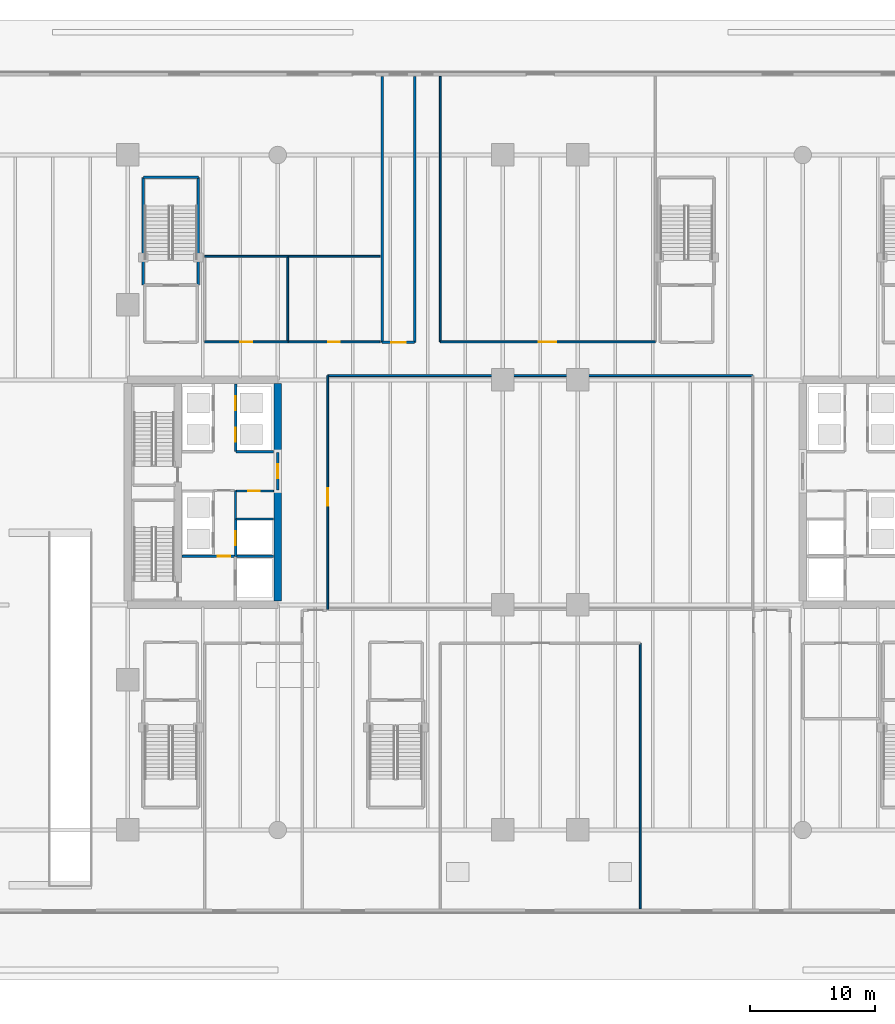
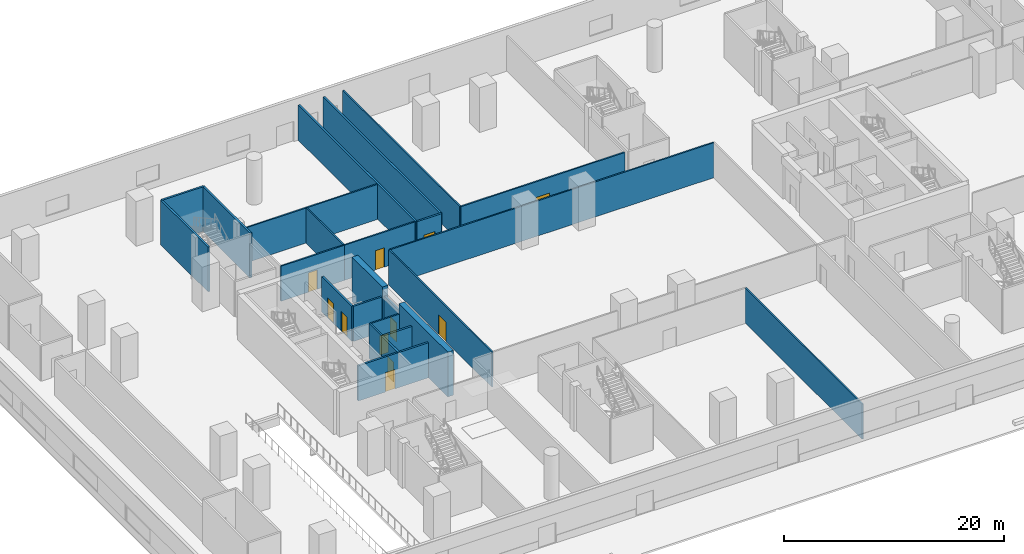
# One storey, part 7 of 25: 26 walls, 11 doors, 11 openings.
"""IFC4 building model written with IfcOpenShell, lengths in metres."""

import ifcopenshell
import ifcopenshell.guid

model = None  # the IFC model being written
_history = None  # IfcOwnerHistory: only IFC2X3 demands one
_inside = {}  # id of a spatial element -> (the spatial element, [elements in it])
_under = {}  # id of a project, library or spatial element -> (it, [spatial elements below it])
_declared = {}  # id of a project -> (the project, [libraries it declares])
_typed = {}  # id of a type object -> (the type object, [elements of that type])
_made_of = {}  # id of a material, layer set ... -> (it, [elements and type objects made of it])


def new_model(schema):
    """Start an empty IFC model of exactly this schema.

    Asked for "IFC4X3", IfcOpenShell would pick the latest addendum, in which some entities
    have other attributes; the version numbers below select the first issue.
    IFC2X3 requires an IfcOwnerHistory on every rooted entity: one is made here for all.
    """
    global model, _history
    if schema == "IFC4X3":
        model = ifcopenshell.file(schema_version=(4, 3, 0, 0))
    else:
        model = ifcopenshell.file(schema=schema)
    _inside.clear()
    _under.clear()
    _declared.clear()
    _typed.clear()
    _made_of.clear()
    _history = None
    if model.schema == "IFC2X3":
        org = make("IfcOrganization", Name="unknown")
        user = make(
            "IfcPersonAndOrganization",
            ThePerson=make("IfcPerson", FamilyName="unknown"),
            TheOrganization=org,
        )
        app = make(
            "IfcApplication",
            ApplicationDeveloper=org,
            Version="unknown",
            ApplicationFullName="unknown",
            ApplicationIdentifier="unknown",
        )
        _history = make(
            "IfcOwnerHistory",
            OwningUser=user,
            OwningApplication=app,
            ChangeAction="ADDED",
            CreationDate=0,
        )
    return model


def make(cls, **values):
    """One entity of the class cls with the attributes given. An attribute that is None is left unset."""
    return model.create_entity(
        cls, **{name: value for name, value in values.items() if value is not None}
    )


def rooted(cls, **values):
    """An entity with a GlobalId (a new one), such as an element, a storey or a relation."""
    return make(cls, GlobalId=ifcopenshell.guid.new(), OwnerHistory=_history, **values)


def si_unit(unit_type, name, prefix=None):
    """IfcSIUnit, for example si_unit("LENGTHUNIT", "METRE", prefix="MILLI")."""
    return make("IfcSIUnit", UnitType=unit_type, Prefix=prefix, Name=name)


def assignment(units):
    """IfcUnitAssignment: the units of a project."""
    return None if units is None else make("IfcUnitAssignment", Units=units)


def point(xyz):
    """IfcCartesianPoint."""
    return None if xyz is None else make("IfcCartesianPoint", Coordinates=xyz)


def direction(xyz):
    """IfcDirection."""
    return None if xyz is None else make("IfcDirection", DirectionRatios=xyz)


def frame(location, z_axis=None, x_axis=None):
    """IfcAxis2Placement3D, a coordinate frame: its origin and axes. An axis left out is left unset."""
    return make(
        "IfcAxis2Placement3D",
        Location=point(location),
        Axis=direction(z_axis),
        RefDirection=direction(x_axis),
    )


def frame_2d(location, x_axis=None):
    """IfcAxis2Placement2D, a coordinate frame in the plane: its origin and x axis."""
    return make(
        "IfcAxis2Placement2D", Location=point(location), RefDirection=direction(x_axis)
    )


def origin():
    """The frame at (0, 0, 0) with its axes left unset."""
    return frame((0.0, 0.0, 0.0))


def place(relative_to, where):
    """IfcLocalPlacement: puts the frame where relative to a parent placement (None: the world)."""
    return make(
        "IfcLocalPlacement", PlacementRelTo=relative_to, RelativePlacement=where
    )


def context(
    kind, dimensions, precision=None, world=None, true_north=None, identifier=None
):
    """IfcGeometricRepresentationContext, for example the 3D "Model" context."""
    return make(
        "IfcGeometricRepresentationContext",
        ContextIdentifier=identifier,
        ContextType=kind,
        CoordinateSpaceDimension=dimensions,
        Precision=precision,
        WorldCoordinateSystem=world,
        TrueNorth=true_north,
    )


def subcontext(parent, identifier, kind, view, scale=None):
    """IfcGeometricRepresentationSubContext, for example "Body" below "Model"."""
    return make(
        "IfcGeometricRepresentationSubContext",
        ContextIdentifier=identifier,
        ContextType=kind,
        ParentContext=parent,
        TargetScale=scale,
        TargetView=view,
    )


def project(units=None, contexts=None):
    """IfcProject with its units and contexts."""
    return rooted(
        "IfcProject",
        Name="project",
        RepresentationContexts=contexts,
        UnitsInContext=assignment(units),
    )


def spatial(cls, under=None, at=None, **own):
    """A site, building, storey or space (cls), placed at a placement, below another one or the project."""
    s = rooted(cls, ObjectPlacement=at, **own)
    if under is not None:
        _under.setdefault(under.id(), (under, []))[1].append(s)
    return s


def profile(cls, at=None, kind="AREA", **sizes):
    """A parametric profile (cls). Its sizes go by their IFC names, for example OverallWidth=200.0."""
    return make(cls, ProfileType=kind, Position=at, **sizes)


def rectangle(**sizes):
    """IfcRectangleProfileDef."""
    return profile("IfcRectangleProfileDef", **sizes)


def extrude(swept, where, along, depth):
    """IfcExtrudedAreaSolid: the profile swept, set in the frame where, extruded along a direction by depth."""
    return make(
        "IfcExtrudedAreaSolid",
        SweptArea=swept,
        Position=where,
        ExtrudedDirection=direction(along),
        Depth=depth,
    )


def shape(context_of_items, identifier, shape_type, items):
    """IfcShapeRepresentation: the items that make up one representation, for example the "Body"."""
    return make(
        "IfcShapeRepresentation",
        ContextOfItems=context_of_items,
        RepresentationIdentifier=identifier,
        RepresentationType=shape_type,
        Items=items,
    )


def material(Name=None, Category=None):
    """IfcMaterial."""
    return make("IfcMaterial", Name=Name, Category=Category)


def layer(
    of_material, thickness, ventilated=None, Name=None, Category=None, Priority=None
):
    """IfcMaterialLayer: one layer of a wall or slab, of a material (None: an air gap)."""
    return make(
        "IfcMaterialLayer",
        Material=of_material,
        LayerThickness=thickness,
        IsVentilated=ventilated,
        Name=Name,
        Category=Category,
        Priority=Priority,
    )


def layer_set(layers, Name=None):
    """IfcMaterialLayerSet."""
    return make("IfcMaterialLayerSet", MaterialLayers=layers, LayerSetName=Name)


def made_of(thing, what):
    """Note that an element or type object is made of a material, layer set ...; save() writes the relation."""
    if what is not None:
        _made_of.setdefault(what.id(), (what, []))[1].append(thing)
    return thing


def type_object(cls, material=None, **own):
    """A type object (cls), such as IfcWallType, which elements share."""
    return made_of(rooted(cls, **own), material)


def element(
    cls,
    number,
    at=None,
    inside=None,
    cuts=None,
    type_object=None,
    material=None,
    context=None,
    identifier="Body",
    shape_type=None,
    held_by="IfcProductDefinitionShape",
    body=None,
    shapes=None,
    **own,
):
    """One element of the class cls, such as IfcWall. Its Tag is "e" and its number.

    at: its placement. inside: the storey or other place that contains it. cuts: it is an
    opening in that element (IfcRelVoidsElement). A single representation is given by context,
    identifier, shape_type and body (its items); several are given by shapes. held_by: the class
    of the entity that holds the representations. save() writes the other relations.
    """
    e = rooted(cls, Tag="e%d" % number, ObjectPlacement=at, **own)
    if body is not None:
        shapes = [shape(context, identifier, shape_type, body)]
    if shapes is not None:
        e.Representation = make(held_by, Representations=shapes)
    if inside is not None:
        _inside.setdefault(inside.id(), (inside, []))[1].append(e)
    if cuts is not None:
        rooted(
            "IfcRelVoidsElement", RelatingBuildingElement=cuts, RelatedOpeningElement=e
        )
    if type_object is not None:
        _typed.setdefault(type_object.id(), (type_object, []))[1].append(e)
    return made_of(e, material)


def fill(opening, filler):
    """IfcRelFillsElement: the door or window that sits in an opening."""
    return rooted(
        "IfcRelFillsElement",
        RelatingOpeningElement=opening,
        RelatedBuildingElement=filler,
    )


def aggregate(whole, parts):
    """IfcRelAggregates: a whole, such as a stair, and the parts it consists of."""
    return rooted("IfcRelAggregates", RelatingObject=whole, RelatedObjects=parts)


def save(model, path):
    """Write the relations noted so far, then the file.

    IfcRelAggregates (storeys below a building ...), IfcRelContainedInSpatialStructure (elements
    in a storey), IfcRelDefinesByType, IfcRelAssociatesMaterial and IfcRelDeclares: one each for
    every whole, place, type object, material and project.
    """
    for whole, parts in _under.values():
        aggregate(whole, parts)
    for where, things in _inside.values():
        rooted(
            "IfcRelContainedInSpatialStructure",
            RelatedElements=things,
            RelatingStructure=where,
        )
    for kind, things in _typed.values():
        rooted("IfcRelDefinesByType", RelatedObjects=things, RelatingType=kind)
    for what, things in _made_of.values():
        rooted("IfcRelAssociatesMaterial", RelatedObjects=things, RelatingMaterial=what)
    for by, libraries in _declared.values():
        rooted("IfcRelDeclares", RelatingContext=by, RelatedDefinitions=libraries)
    model.write(path)


model = new_model("IFC4")

# Units and contexts
model_context = context("Model", 3, precision=1e-05, world=origin(), true_north=direction((0.0, 1.0)))
body_context = subcontext(model_context, "Body", "Model", "MODEL_VIEW")
ifc_project = project(units=[si_unit("LENGTHUNIT", "METRE"), si_unit("AREAUNIT", "SQUARE_METRE"), si_unit("VOLUMEUNIT", "CUBIC_METRE"), si_unit("PLANEANGLEUNIT", "RADIAN"), si_unit("MASSUNIT", "GRAM", prefix="KILO")], contexts=[model_context])

# Site, building, storey
site_placement = place(None, origin())
site = spatial("IfcSite", under=ifc_project, at=site_placement, CompositionType="ELEMENT")
building_placement = place(site_placement, origin())
building = spatial("IfcBuilding", under=site, at=building_placement, Name="Tanjung Sevakor Pilgrim Tower", CompositionType="ELEMENT")
storey_placement = place(building_placement, origin())
storey = spatial("IfcBuildingStorey", under=building, at=storey_placement, Name="L01", CompositionType="ELEMENT", Elevation=0.0)

# Walls
ifc_material_1 = material(Name="Concrete C60/75", Category="concrete")
ifc_layer_1 = layer(ifc_material_1, 0.60009765625)
ifc_layer_set_1 = layer_set([ifc_layer_1], Name="WALL-CW-600")
wall_type_1 = type_object("IfcWallType", Name="WALL-CW-600", PredefinedType="SHEAR", material=ifc_layer_set_1)
wall_1_placement = place(storey_placement, frame((36.0, 24.89990234375, 0.0), z_axis=(0.0, 0.0, 1.0), x_axis=(0.0, 1.0, 0.0)))
element("IfcWall", 1, at=wall_1_placement, inside=storey, type_object=wall_type_1, Name="L01 W Core Inner Shear Wall South", PredefinedType="SHEAR", context=body_context, shape_type="SweptSolid", body=[
    extrude(rectangle(XDim=8.900146484375, YDim=0.60009765625, at=frame_2d((4.4501953125, 0.0))), origin(), (0.0, 0.0, 1.0), 4.949951171875),
])
wall_2_placement = place(storey_placement, frame((36.0, 36.800048828125, 0.0), z_axis=(0.0, 0.0, 1.0), x_axis=(0.0, 1.0, 0.0)))
element("IfcWall", 2, at=wall_2_placement, inside=storey, type_object=wall_type_1, Name="L01 W Core Inner Shear Wall North", PredefinedType="SHEAR", context=body_context, shape_type="SweptSolid", body=[
    extrude(rectangle(XDim=5.5, YDim=0.60009765625, at=frame_2d((2.75, 0.0))), origin(), (0.0, 0.0, 1.0), 4.949951171875),
])
ifc_material_2 = material(Name="Concrete C40/50", Category="concrete")
ifc_layer_2 = layer(ifc_material_2, 0.14990234375)
ifc_layer_set_2 = layer_set([ifc_layer_2], Name="WT-COMP-150")
wall_type_2 = type_object("IfcWallType", Name="WT-COMP-150", PredefinedType="SOLIDWALL", material=ifc_layer_set_2)
wall_3_placement = place(storey_placement, frame((32.6201171875, 31.47998046875, 0.0), z_axis=(0.0, 0.0, 1.0), x_axis=(0.0, 1.0, 0.0)))
element("IfcWall", 3, at=wall_3_placement, inside=storey, type_object=wall_type_2, Name="L01 Partition IW-L01-009", PredefinedType="SOLIDWALL", context=body_context, shape_type="SweptSolid", body=[
    extrude(rectangle(XDim=2.239990234375, YDim=0.14990234375, at=frame_2d((1.1201171875, 0.0))), origin(), (0.0, 0.0, 1.0), 3.889892578125),
])

# Wall, opening, door
wall_4_placement = place(storey_placement, frame((32.679931640625, 33.719970703125, 0.0), z_axis=(0.0, 0.0, 1.0), x_axis=(1.0, 0.0, 0.0)))
wall_4 = element("IfcWall", 4, at=wall_4_placement, inside=storey, type_object=wall_type_2, Name="L01 Partition IW-L01-010", PredefinedType="SOLIDWALL", context=body_context, shape_type="SweptSolid", body=[
    extrude(rectangle(XDim=3.0, YDim=0.14990234375, at=frame_2d((1.5, 0.0))), origin(), (0.0, 0.0, 1.0), 3.889892578125),
])
opening_1_placement = place(wall_4_placement, frame((0.949951171875, 0.0, 0.0)))
opening_1 = element("IfcOpeningElement", 5, at=opening_1_placement, cuts=wall_4, Name="Opening ID-FD2", PredefinedType="OPENING", context=body_context, shape_type="SweptSolid", body=[
    extrude(rectangle(XDim=0.949951171875, YDim=2.14990234375, at=frame_2d((0.47509765625, 1.074951171875))), frame((0.0, 0.0849609375, 0.0), z_axis=(0.0, -1.0, 0.0), x_axis=(1.0, 0.0, 0.0)), (0.0, 0.0, 1.0), 0.169921875),
])
ifc_material_3 = material(Name="Fire-Rated Timber", Category="wood")
door_type_1 = type_object("IfcDoorType", Name="DT-FIRE-950", OperationType="NOTDEFINED", PredefinedType="DOOR", material=ifc_material_3)
door_1_placement = place(opening_1_placement, origin())
door_1 = element("IfcDoor", 6, at=door_1_placement, inside=storey, type_object=door_type_1, Name="L01 Accessible WC Door", OperationType="SINGLE_SWING_LEFT", OverallHeight=2.14990234375, OverallWidth=0.949951171875, PredefinedType="DOOR", context=body_context, shape_type="SweptSolid", body=[
    extrude(rectangle(XDim=0.949951171875, YDim=2.14990234375, at=frame_2d((0.47509765625, 1.074951171875))), frame((0.0, 0.02490234375, 0.0), z_axis=(0.0, -1.0, 0.0), x_axis=(1.0, 0.0, 0.0)), (0.0, 0.0, 1.0), 0.050048828125),
])
fill(opening_1, door_1)

# Walls
wall_5_placement = place(storey_placement, frame((65.0, 0.300048828125, 0.0), z_axis=(0.0, 0.0, 1.0), x_axis=(0.0, 1.0, 0.0)))
element("IfcWall", 7, at=wall_5_placement, inside=storey, type_object=wall_type_2, Name="L01 Partition IW-L01-063", PredefinedType="SOLIDWALL", context=body_context, shape_type="SweptSolid", body=[
    extrude(rectangle(XDim=21.25, YDim=0.14990234375, at=frame_2d((10.625, 0.0))), origin(), (0.0, 0.0, 1.0), 3.889892578125),
])
wall_6_placement = place(storey_placement, frame((40.0, 42.949951171875, 0.0), z_axis=(0.0, 0.0, 1.0), x_axis=(1.0, 0.0, 0.0)))
element("IfcWall", 8, at=wall_6_placement, inside=storey, type_object=wall_type_2, Name="L01 Partition IW-L01-071", PredefinedType="SOLIDWALL", context=body_context, shape_type="SweptSolid", body=[
    extrude(rectangle(XDim=34.0, YDim=0.14990234375, at=frame_2d((17.0, 0.0))), origin(), (0.0, 0.0, 1.0), 3.889892578125),
])

# Wall, opening, door
wall_7_placement = place(storey_placement, frame((40.0, 24.25, 0.0), z_axis=(0.0, 0.0, 1.0), x_axis=(0.0, 1.0, 0.0)))
wall_7 = element("IfcWall", 9, at=wall_7_placement, inside=storey, type_object=wall_type_2, Name="L01 Partition IW-L01-072", PredefinedType="SOLIDWALL", context=body_context, shape_type="SweptSolid", body=[
    extrude(rectangle(XDim=18.699951171875, YDim=0.14990234375, at=frame_2d((9.35009765625, 0.0))), origin(), (0.0, 0.0, 1.0), 3.889892578125),
])
opening_2_placement = place(wall_7_placement, frame((8.300048828125, 0.0, 0.0)))
opening_2 = element("IfcOpeningElement", 10, at=opening_2_placement, cuts=wall_7, Name="Opening ID-HD1", PredefinedType="OPENING", context=body_context, shape_type="SweptSolid", body=[
    extrude(rectangle(XDim=1.39990234375, YDim=2.14990234375, at=frame_2d((0.699951171875, 1.074951171875))), frame((0.0, 0.0849609375, 0.0), z_axis=(0.0, -1.0, 0.0), x_axis=(1.0, 0.0, 0.0)), (0.0, 0.0, 1.0), 0.169921875),
])
ifc_material_4 = material(Name="Hardwood Timber", Category="wood")
door_type_2 = type_object("IfcDoorType", Name="DT-INT-1400", OperationType="DOUBLE_DOOR_SINGLE_SWING", PredefinedType="DOOR", material=ifc_material_4)
door_2_placement = place(opening_2_placement, origin())
door_2 = element("IfcDoor", 11, at=door_2_placement, inside=storey, type_object=door_type_2, Name="L01 Arrival Concourse Door", OperationType="SINGLE_SWING_LEFT", OverallHeight=2.14990234375, OverallWidth=1.39990234375, PredefinedType="DOOR", context=body_context, shape_type="SweptSolid", body=[
    extrude(rectangle(XDim=1.39990234375, YDim=2.14990234375, at=frame_2d((0.699951171875, 1.074951171875))), frame((0.0, 0.02490234375, 0.0), z_axis=(0.0, -1.0, 0.0), x_axis=(1.0, 0.0, 0.0)), (0.0, 0.0, 1.0), 0.050048828125),
])
fill(opening_2, door_2)

wall_8_placement = place(storey_placement, frame((49.0, 45.64990234375, 0.0), z_axis=(0.0, 0.0, 1.0), x_axis=(1.0, 0.0, 0.0)))
wall_8 = element("IfcWall", 12, at=wall_8_placement, inside=storey, type_object=wall_type_2, Name="L01 Partition IW-L01-074", PredefinedType="SOLIDWALL", context=body_context, shape_type="SweptSolid", body=[
    extrude(rectangle(XDim=17.199951171875, YDim=0.14990234375, at=frame_2d((8.60009765625, 0.0))), origin(), (0.0, 0.0, 1.0), 3.889892578125),
])
opening_3_placement = place(wall_8_placement, frame((7.89990234375, 0.0, 0.0)))
opening_3 = element("IfcOpeningElement", 13, at=opening_3_placement, cuts=wall_8, Name="Opening ID-HD1", PredefinedType="OPENING", context=body_context, shape_type="SweptSolid", body=[
    extrude(rectangle(XDim=1.39990234375, YDim=2.14990234375, at=frame_2d((0.699951171875, 1.074951171875))), frame((0.0, 0.0849609375, 0.0), z_axis=(0.0, -1.0, 0.0), x_axis=(1.0, 0.0, 0.0)), (0.0, 0.0, 1.0), 0.169921875),
])
door_3_placement = place(opening_3_placement, origin())
door_3 = element("IfcDoor", 14, at=door_3_placement, inside=storey, type_object=door_type_2, Name="L01 Registration Hall Door", OperationType="SINGLE_SWING_RIGHT", OverallHeight=2.14990234375, OverallWidth=1.39990234375, PredefinedType="DOOR", context=body_context, shape_type="SweptSolid", body=[
    extrude(rectangle(XDim=1.39990234375, YDim=2.14990234375, at=frame_2d((0.699951171875, 1.074951171875))), frame((0.0, 0.02490234375, 0.0), z_axis=(0.0, -1.0, 0.0), x_axis=(1.0, 0.0, 0.0)), (0.0, 0.0, 1.0), 0.050048828125),
])
fill(opening_3, door_3)

# Wall
wall_9_placement = place(storey_placement, frame((49.0, 45.64990234375, 0.0), z_axis=(0.0, 0.0, 1.0), x_axis=(0.0, 1.0, 0.0)))
element("IfcWall", 15, at=wall_9_placement, inside=storey, type_object=wall_type_2, Name="L01 Partition IW-L01-075", PredefinedType="SOLIDWALL", context=body_context, shape_type="SweptSolid", body=[
    extrude(rectangle(XDim=21.25, YDim=0.14990234375, at=frame_2d((10.625, 0.0))), origin(), (0.0, 0.0, 1.0), 3.889892578125),
])

# Wall, opening, door
wall_10_placement = place(storey_placement, frame((30.14990234375, 45.64990234375, 0.0), z_axis=(0.0, 0.0, 1.0), x_axis=(1.0, 0.0, 0.0)))
wall_10 = element("IfcWall", 16, at=wall_10_placement, inside=storey, type_object=wall_type_2, Name="L01 Partition IW-L01-088", PredefinedType="SOLIDWALL", context=body_context, shape_type="SweptSolid", body=[
    extrude(rectangle(XDim=6.650146484375, YDim=0.14990234375, at=frame_2d((3.3251953125, 0.0))), origin(), (0.0, 0.0, 1.0), 3.889892578125),
])
opening_4_placement = place(wall_10_placement, frame((2.85009765625, 0.0, 0.0)))
opening_4 = element("IfcOpeningElement", 17, at=opening_4_placement, cuts=wall_10, Name="Opening ID-RM1", PredefinedType="OPENING", context=body_context, shape_type="SweptSolid", body=[
    extrude(rectangle(XDim=0.949951171875, YDim=2.14990234375, at=frame_2d((0.47509765625, 1.074951171875))), frame((0.0, 0.0849609375, 0.0), z_axis=(0.0, -1.0, 0.0), x_axis=(1.0, 0.0, 0.0)), (0.0, 0.0, 1.0), 0.169921875),
])
ifc_material_5 = material(Name="Hardwood Timber", Category="wood")
door_type_3 = type_object("IfcDoorType", Name="DT-INT-950", OperationType="NOTDEFINED", PredefinedType="DOOR", material=ifc_material_5)
door_4_placement = place(opening_4_placement, frame((0.949951171875, 0.0, 0.0), z_axis=(0.0, 0.0, 1.0), x_axis=(-1.0, 0.0, 0.0)))
door_4 = element("IfcDoor", 18, at=door_4_placement, inside=storey, type_object=door_type_3, Name="L01 Public Male WC Door", OperationType="SINGLE_SWING_LEFT", OverallHeight=2.14990234375, OverallWidth=0.949951171875, PredefinedType="DOOR", context=body_context, shape_type="SweptSolid", body=[
    extrude(rectangle(XDim=0.949951171875, YDim=2.14990234375, at=frame_2d((0.47509765625, 1.074951171875))), frame((0.0, 0.02490234375, 0.0), z_axis=(0.0, -1.0, 0.0), x_axis=(1.0, 0.0, 0.0)), (0.0, 0.0, 1.0), 0.050048828125),
])
fill(opening_4, door_4)

# Walls
wall_11_placement = place(storey_placement, frame((30.14990234375, 52.5, 0.0), z_axis=(0.0, 0.0, 1.0), x_axis=(1.0, 0.0, 0.0)))
element("IfcWall", 19, at=wall_11_placement, inside=storey, type_object=wall_type_2, Name="L01 Partition IW-L01-089", PredefinedType="SOLIDWALL", context=body_context, shape_type="SweptSolid", body=[
    extrude(rectangle(XDim=6.650146484375, YDim=0.14990234375, at=frame_2d((3.3251953125, 0.0))), origin(), (0.0, 0.0, 1.0), 3.889892578125),
])
wall_12_placement = place(storey_placement, frame((36.800048828125, 45.64990234375, 0.0), z_axis=(0.0, 0.0, 1.0), x_axis=(0.0, 1.0, 0.0)))
element("IfcWall", 20, at=wall_12_placement, inside=storey, type_object=wall_type_2, Name="L01 Partition IW-L01-091", PredefinedType="SOLIDWALL", context=body_context, shape_type="SweptSolid", body=[
    extrude(rectangle(XDim=6.85009765625, YDim=0.14990234375, at=frame_2d((3.425048828125, 0.0))), origin(), (0.0, 0.0, 1.0), 3.889892578125),
])

# Wall, opening, door
wall_13_placement = place(storey_placement, frame((36.800048828125, 45.64990234375, 0.0), z_axis=(0.0, 0.0, 1.0), x_axis=(1.0, 0.0, 0.0)))
wall_13 = element("IfcWall", 21, at=wall_13_placement, inside=storey, type_object=wall_type_2, Name="L01 Partition IW-L01-092", PredefinedType="SOLIDWALL", context=body_context, shape_type="SweptSolid", body=[
    extrude(rectangle(XDim=7.39990234375, YDim=0.14990234375, at=frame_2d((3.699951171875, 0.0))), origin(), (0.0, 0.0, 1.0), 3.889892578125),
])
opening_5_placement = place(wall_13_placement, frame((3.22509765625, 0.0, 0.0)))
opening_5 = element("IfcOpeningElement", 22, at=opening_5_placement, cuts=wall_13, Name="Opening ID-RM1", PredefinedType="OPENING", context=body_context, shape_type="SweptSolid", body=[
    extrude(rectangle(XDim=0.949951171875, YDim=2.14990234375, at=frame_2d((0.47509765625, 1.074951171875))), frame((0.0, 0.0849609375, 0.0), z_axis=(0.0, -1.0, 0.0), x_axis=(1.0, 0.0, 0.0)), (0.0, 0.0, 1.0), 0.169921875),
])
door_5_placement = place(opening_5_placement, frame((0.949951171875, 0.0, 0.0), z_axis=(0.0, 0.0, 1.0), x_axis=(-1.0, 0.0, 0.0)))
door_5 = element("IfcDoor", 23, at=door_5_placement, inside=storey, type_object=door_type_3, Name="L01 Public Female WC Door", OperationType="SINGLE_SWING_RIGHT", OverallHeight=2.14990234375, OverallWidth=0.949951171875, PredefinedType="DOOR", context=body_context, shape_type="SweptSolid", body=[
    extrude(rectangle(XDim=0.949951171875, YDim=2.14990234375, at=frame_2d((0.47509765625, 1.074951171875))), frame((0.0, 0.02490234375, 0.0), z_axis=(0.0, -1.0, 0.0), x_axis=(1.0, 0.0, 0.0)), (0.0, 0.0, 1.0), 0.050048828125),
])
fill(opening_5, door_5)

# Walls
wall_14_placement = place(storey_placement, frame((36.800048828125, 52.5, 0.0), z_axis=(0.0, 0.0, 1.0), x_axis=(1.0, 0.0, 0.0)))
element("IfcWall", 24, at=wall_14_placement, inside=storey, type_object=wall_type_2, Name="L01 Partition IW-L01-093", PredefinedType="SOLIDWALL", context=body_context, shape_type="SweptSolid", body=[
    extrude(rectangle(XDim=7.39990234375, YDim=0.14990234375, at=frame_2d((3.699951171875, 0.0))), origin(), (0.0, 0.0, 1.0), 3.889892578125),
])
ifc_material_6 = material(Name="Concrete C40/50", Category="concrete")
ifc_layer_3 = layer(ifc_material_6, 0.199951171875)
ifc_layer_set_3 = layer_set([ifc_layer_3], Name="WT-FIRE-200")
wall_type_3 = type_object("IfcWallType", Name="WT-FIRE-200", PredefinedType="SOLIDWALL", material=ifc_layer_set_3)
wall_15_placement = place(storey_placement, frame((29.64990234375, 50.199951171875, 0.0), z_axis=(0.0, 0.0, 1.0), x_axis=(0.0, 1.0, 0.0)))
element("IfcWall", 25, at=wall_15_placement, inside=storey, type_object=wall_type_3, Name="L01 PS-2 Shaft Wall 2", PredefinedType="SOLIDWALL", context=body_context, shape_type="SweptSolid", body=[
    extrude(rectangle(XDim=8.60009765625, YDim=0.199951171875, at=frame_2d((4.300048828125, 0.0))), origin(), (0.0, 0.0, 1.0), 4.949951171875),
])
wall_16_placement = place(storey_placement, frame((29.64990234375, 58.800048828125, 0.0), z_axis=(0.0, 0.0, 1.0), x_axis=(-1.0, 0.0, 0.0)))
element("IfcWall", 26, at=wall_16_placement, inside=storey, type_object=wall_type_3, Name="L01 PS-2 Shaft Wall 3", PredefinedType="SOLIDWALL", context=body_context, shape_type="SweptSolid", body=[
    extrude(rectangle(XDim=4.39990234375, YDim=0.199951171875, at=frame_2d((2.199951171875, 0.0))), origin(), (0.0, 0.0, 1.0), 4.949951171875),
])
wall_17_placement = place(storey_placement, frame((25.25, 58.800048828125, 0.0), z_axis=(0.0, 0.0, 1.0), x_axis=(0.0, -1.0, 0.0)))
element("IfcWall", 27, at=wall_17_placement, inside=storey, type_object=wall_type_3, Name="L01 PS-2 Shaft Wall 4", PredefinedType="SOLIDWALL", context=body_context, shape_type="SweptSolid", body=[
    extrude(rectangle(XDim=8.60009765625, YDim=0.199951171875, at=frame_2d((4.300048828125, 0.0))), origin(), (0.0, 0.0, 1.0), 4.949951171875),
])

# Wall, opening, door
ifc_material_7 = material(Name="Concrete C40/50", Category="concrete")
ifc_layer_4 = layer(ifc_material_7, 0.199951171875)
ifc_layer_set_4 = layer_set([ifc_layer_4], Name="WT-FPRT-200")
wall_type_4 = type_object("IfcWallType", Name="WT-FPRT-200", PredefinedType="SOLIDWALL", material=ifc_layer_set_4)
wall_18_placement = place(storey_placement, frame((28.320068359375, 28.5, 0.0), z_axis=(0.0, 0.0, 1.0), x_axis=(1.0, 0.0, 0.0)))
wall_18 = element("IfcWall", 28, at=wall_18_placement, inside=storey, type_object=wall_type_4, Name="L01 Partition IW-L01-002", PredefinedType="SOLIDWALL", context=body_context, shape_type="SweptSolid", body=[
    extrude(rectangle(XDim=7.35986328125, YDim=0.199951171875, at=frame_2d((3.679931640625, 0.0))), origin(), (0.0, 0.0, 1.0), 3.889892578125),
])
opening_6_placement = place(wall_18_placement, frame((2.8798828125, 0.0, 0.0)))
opening_6 = element("IfcOpeningElement", 29, at=opening_6_placement, cuts=wall_18, Name="Opening ID-FD1", PredefinedType="OPENING", context=body_context, shape_type="SweptSolid", body=[
    extrude(rectangle(XDim=1.0, YDim=2.14990234375, at=frame_2d((0.5, 1.074951171875))), frame((0.0, 0.10986328125, 0.0), z_axis=(0.0, -1.0, 0.0), x_axis=(1.0, 0.0, 0.0)), (0.0, 0.0, 1.0), 0.219970703125),
])
ifc_material_8 = material(Name="Fire-Rated Steel S355J2", Category="steel")
door_type_4 = type_object("IfcDoorType", Name="DT-FIRE-1000", OperationType="NOTDEFINED", PredefinedType="DOOR", material=ifc_material_8)
door_6_placement = place(opening_6_placement, origin())
door_6 = element("IfcDoor", 30, at=door_6_placement, inside=storey, type_object=door_type_4, Name="Fire Lobby Door W", OperationType="SINGLE_SWING_LEFT", OverallHeight=2.14990234375, OverallWidth=1.0, PredefinedType="DOOR", context=body_context, shape_type="SweptSolid", body=[
    extrude(rectangle(XDim=1.0, YDim=2.14990234375, at=frame_2d((0.5, 1.074951171875))), frame((0.0, 0.02490234375, 0.0), z_axis=(0.0, -1.0, 0.0), x_axis=(1.0, 0.0, 0.0)), (0.0, 0.0, 1.0), 0.050048828125),
])
fill(opening_6, door_6)

wall_19_placement = place(storey_placement, frame((36.0, 33.800048828125, 0.0), z_axis=(0.0, 0.0, 1.0), x_axis=(0.0, 1.0, 0.0)))
wall_19 = element("IfcWall", 31, at=wall_19_placement, inside=storey, type_object=wall_type_4, Name="L01 Partition IW-L01-003", PredefinedType="SOLIDWALL", context=body_context, shape_type="SweptSolid", body=[
    extrude(rectangle(XDim=3.0, YDim=0.199951171875, at=frame_2d((1.5, 0.0))), origin(), (0.0, 0.0, 1.0), 3.889892578125),
])
opening_7_placement = place(wall_19_placement, frame((0.925048828125, 0.0, 0.0)))
opening_7 = element("IfcOpeningElement", 32, at=opening_7_placement, cuts=wall_19, Name="Opening ID-ST1", PredefinedType="OPENING", context=body_context, shape_type="SweptSolid", body=[
    extrude(rectangle(XDim=1.14990234375, YDim=2.14990234375, at=frame_2d((0.574951171875, 1.074951171875))), frame((0.0, 0.10986328125, 0.0), z_axis=(0.0, -1.0, 0.0), x_axis=(1.0, 0.0, 0.0)), (0.0, 0.0, 1.0), 0.219970703125),
])
ifc_material_9 = material(Name="Fire-Rated Steel S355J2", Category="steel")
door_type_5 = type_object("IfcDoorType", Name="DT-FIRE-1150", OperationType="NOTDEFINED", PredefinedType="DOOR", material=ifc_material_9)
door_7_placement = place(opening_7_placement, frame((1.14990234375, 0.0, 0.0), z_axis=(0.0, 0.0, 1.0), x_axis=(-1.0, 0.0, 0.0)))
door_7 = element("IfcDoor", 33, at=door_7_placement, inside=storey, type_object=door_type_5, Name="L01 Core W Exit Vestibule Door", OperationType="SINGLE_SWING_RIGHT", OverallHeight=2.14990234375, OverallWidth=1.14990234375, PredefinedType="DOOR", context=body_context, shape_type="SweptSolid", body=[
    extrude(rectangle(XDim=1.14990234375, YDim=2.14990234375, at=frame_2d((0.574951171875, 1.074951171875))), frame((0.0, 0.02490234375, 0.0), z_axis=(0.0, -1.0, 0.0), x_axis=(1.0, 0.0, 0.0)), (0.0, 0.0, 1.0), 0.050048828125),
])
fill(opening_7, door_7)

# Wall
wall_20_placement = place(storey_placement, frame((32.679931640625, 31.47998046875, 0.0), z_axis=(0.0, 0.0, 1.0), x_axis=(1.0, 0.0, 0.0)))
element("IfcWall", 34, at=wall_20_placement, inside=storey, type_object=wall_type_4, Name="L01 Partition IW-L01-007", PredefinedType="SOLIDWALL", context=body_context, shape_type="SweptSolid", body=[
    extrude(rectangle(XDim=3.0, YDim=0.199951171875, at=frame_2d((1.5, 0.0))), origin(), (0.0, 0.0, 1.0), 3.889892578125),
])

# Wall, opening, door
wall_21_placement = place(storey_placement, frame((32.6201171875, 28.5, 0.0), z_axis=(0.0, 0.0, 1.0), x_axis=(0.0, 1.0, 0.0)))
wall_21 = element("IfcWall", 35, at=wall_21_placement, inside=storey, type_object=wall_type_4, Name="L01 Partition IW-L01-008", PredefinedType="SOLIDWALL", context=body_context, shape_type="SweptSolid", body=[
    extrude(rectangle(XDim=2.97998046875, YDim=0.199951171875, at=frame_2d((1.489990234375, 0.0))), origin(), (0.0, 0.0, 1.0), 3.889892578125),
])
opening_8_placement = place(wall_21_placement, frame((0.89990234375, 0.0, 0.0)))
opening_8 = element("IfcOpeningElement", 36, at=opening_8_placement, cuts=wall_21, Name="Opening LD-1100", PredefinedType="OPENING", context=body_context, shape_type="SweptSolid", body=[
    extrude(rectangle(XDim=1.10009765625, YDim=2.199951171875, at=frame_2d((0.550048828125, 1.10009765625))), frame((0.0, 0.10986328125, 0.0), z_axis=(0.0, -1.0, 0.0), x_axis=(1.0, 0.0, 0.0)), (0.0, 0.0, 1.0), 0.219970703125),
])
ifc_material_10 = material(Name="Brushed Stainless Steel S355J2", Category="steel")
door_type_6 = type_object("IfcDoorType", Name="DT-LIFT-1100", OperationType="SLIDING_TO_LEFT", PredefinedType="DOOR", material=ifc_material_10)
door_8_placement = place(opening_8_placement, origin())
door_8 = element("IfcDoor", 37, at=door_8_placement, inside=storey, type_object=door_type_6, Name="LD-SLP-W", OperationType="SLIDING_TO_LEFT", OverallHeight=2.199951171875, OverallWidth=1.10009765625, PredefinedType="DOOR", context=body_context, shape_type="SweptSolid", body=[
    extrude(rectangle(XDim=1.10009765625, YDim=2.199951171875, at=frame_2d((0.550048828125, 1.10009765625))), frame((0.0, 0.02490234375, 0.0), z_axis=(0.0, -1.0, 0.0), x_axis=(1.0, 0.0, 0.0)), (0.0, 0.0, 1.0), 0.050048828125),
])
fill(opening_8, door_8)

# Wall
wall_22_placement = place(storey_placement, frame((32.679931640625, 36.8798828125, 0.0), z_axis=(0.0, 0.0, 1.0), x_axis=(1.0, 0.0, 0.0)))
element("IfcWall", 38, at=wall_22_placement, inside=storey, type_object=wall_type_4, Name="L01 Partition IW-L01-013", PredefinedType="SOLIDWALL", context=body_context, shape_type="SweptSolid", body=[
    extrude(rectangle(XDim=3.0, YDim=0.199951171875, at=frame_2d((1.5, 0.0))), origin(), (0.0, 0.0, 1.0), 3.889892578125),
])

# Wall, openings, doors
wall_23_placement = place(storey_placement, frame((32.6201171875, 36.8798828125, 0.0), z_axis=(0.0, 0.0, 1.0), x_axis=(0.0, 1.0, 0.0)))
wall_23 = element("IfcWall", 39, at=wall_23_placement, inside=storey, type_object=wall_type_4, Name="L01 Partition IW-L01-014", PredefinedType="SOLIDWALL", context=body_context, shape_type="SweptSolid", body=[
    extrude(rectangle(XDim=5.420166015625, YDim=0.199951171875, at=frame_2d((2.7099609375, 0.0))), origin(), (0.0, 0.0, 1.0), 3.889892578125),
])
opening_9_placement = place(wall_23_placement, frame((0.800048828125, 0.0, 0.0)))
opening_9 = element("IfcOpeningElement", 40, at=opening_9_placement, cuts=wall_23, Name="Opening LD-1100", PredefinedType="OPENING", context=body_context, shape_type="SweptSolid", body=[
    extrude(rectangle(XDim=1.10009765625, YDim=2.199951171875, at=frame_2d((0.550048828125, 1.10009765625))), frame((0.0, 0.10986328125, 0.0), z_axis=(0.0, -1.0, 0.0), x_axis=(1.0, 0.0, 0.0)), (0.0, 0.0, 1.0), 0.219970703125),
])
opening_10_placement = place(wall_23_placement, frame((3.300048828125, 0.0, 0.0)))
opening_10 = element("IfcOpeningElement", 41, at=opening_10_placement, cuts=wall_23, Name="Opening LD-1100", PredefinedType="OPENING", context=body_context, shape_type="SweptSolid", body=[
    extrude(rectangle(XDim=1.10009765625, YDim=2.199951171875, at=frame_2d((0.550048828125, 1.10009765625))), frame((0.0, 0.10986328125, 0.0), z_axis=(0.0, -1.0, 0.0), x_axis=(1.0, 0.0, 0.0)), (0.0, 0.0, 1.0), 0.219970703125),
])
door_9_placement = place(opening_9_placement, origin())
door_9 = element("IfcDoor", 42, at=door_9_placement, inside=storey, type_object=door_type_6, Name="LD-PLH1-W", OperationType="SLIDING_TO_LEFT", OverallHeight=2.199951171875, OverallWidth=1.10009765625, PredefinedType="DOOR", context=body_context, shape_type="SweptSolid", body=[
    extrude(rectangle(XDim=1.10009765625, YDim=2.199951171875, at=frame_2d((0.550048828125, 1.10009765625))), frame((0.0, 0.02490234375, 0.0), z_axis=(0.0, -1.0, 0.0), x_axis=(1.0, 0.0, 0.0)), (0.0, 0.0, 1.0), 0.050048828125),
])
fill(opening_9, door_9)
door_10_placement = place(opening_10_placement, origin())
door_10 = element("IfcDoor", 43, at=door_10_placement, inside=storey, type_object=door_type_6, Name="LD-PLH2-W", OperationType="SLIDING_TO_RIGHT", OverallHeight=2.199951171875, OverallWidth=1.10009765625, PredefinedType="DOOR", context=body_context, shape_type="SweptSolid", body=[
    extrude(rectangle(XDim=1.10009765625, YDim=2.199951171875, at=frame_2d((0.550048828125, 1.10009765625))), frame((0.0, 0.02490234375, 0.0), z_axis=(0.0, -1.0, 0.0), x_axis=(1.0, 0.0, 0.0)), (0.0, 0.0, 1.0), 0.050048828125),
])
fill(opening_10, door_10)

# Walls
for number, where, z_axis, x_axis, name in (
    (44, (44.35009765625, 45.60009765625, 0.0), (0.0, 0.0, 1.0), (0.0, 1.0, 0.0), "L01 Partition IW-L01-067"),
    (45, (46.949951171875, 45.60009765625, 0.0), (0.0, 0.0, 1.0), (0.0, 1.0, 0.0), "L01 Partition IW-L01-068"),
):
    element("IfcWall", number, at=place(storey_placement, frame(where, z_axis=z_axis, x_axis=x_axis)), inside=storey, type_object=wall_type_4, Name=name, PredefinedType="SOLIDWALL", context=body_context, shape_type="SweptSolid", body=[
        extrude(rectangle(XDim=21.2998046875, YDim=0.199951171875, at=frame_2d((10.64990234375, 0.0))), origin(), (0.0, 0.0, 1.0), 3.889892578125),
    ])

# Wall, opening, door
wall_24_placement = place(storey_placement, frame((44.35009765625, 45.60009765625, 0.0), z_axis=(0.0, 0.0, 1.0), x_axis=(1.0, 0.0, 0.0)))
wall_24 = element("IfcWall", 46, at=wall_24_placement, inside=storey, type_object=wall_type_4, Name="L01 Partition IW-L01-069", PredefinedType="SOLIDWALL", context=body_context, shape_type="SweptSolid", body=[
    extrude(rectangle(XDim=2.599853515625, YDim=0.199951171875, at=frame_2d((1.2998046875, 0.0))), origin(), (0.0, 0.0, 1.0), 3.889892578125),
])
opening_11_placement = place(wall_24_placement, frame((0.72509765625, 0.0, 0.0)))
opening_11 = element("IfcOpeningElement", 47, at=opening_11_placement, cuts=wall_24, Name="Opening ID-ST1", PredefinedType="OPENING", context=body_context, shape_type="SweptSolid", body=[
    extrude(rectangle(XDim=1.14990234375, YDim=2.14990234375, at=frame_2d((0.574951171875, 1.074951171875))), frame((0.0, 0.10986328125, 0.0), z_axis=(0.0, -1.0, 0.0), x_axis=(1.0, 0.0, 0.0)), (0.0, 0.0, 1.0), 0.219970703125),
])
door_11_placement = place(opening_11_placement, frame((1.14990234375, 0.0, 0.0), z_axis=(0.0, 0.0, 1.0), x_axis=(-1.0, 0.0, 0.0)))
door_11 = element("IfcDoor", 48, at=door_11_placement, inside=storey, type_object=door_type_5, Name="L01 North Exit Passage Door", OperationType="SINGLE_SWING_RIGHT", OverallHeight=2.14990234375, OverallWidth=1.14990234375, PredefinedType="DOOR", context=body_context, shape_type="SweptSolid", body=[
    extrude(rectangle(XDim=1.14990234375, YDim=2.14990234375, at=frame_2d((0.574951171875, 1.074951171875))), frame((0.0, 0.02490234375, 0.0), z_axis=(0.0, -1.0, 0.0), x_axis=(1.0, 0.0, 0.0)), (0.0, 0.0, 1.0), 0.050048828125),
])
fill(opening_11, door_11)

save(model, "model.ifc")
